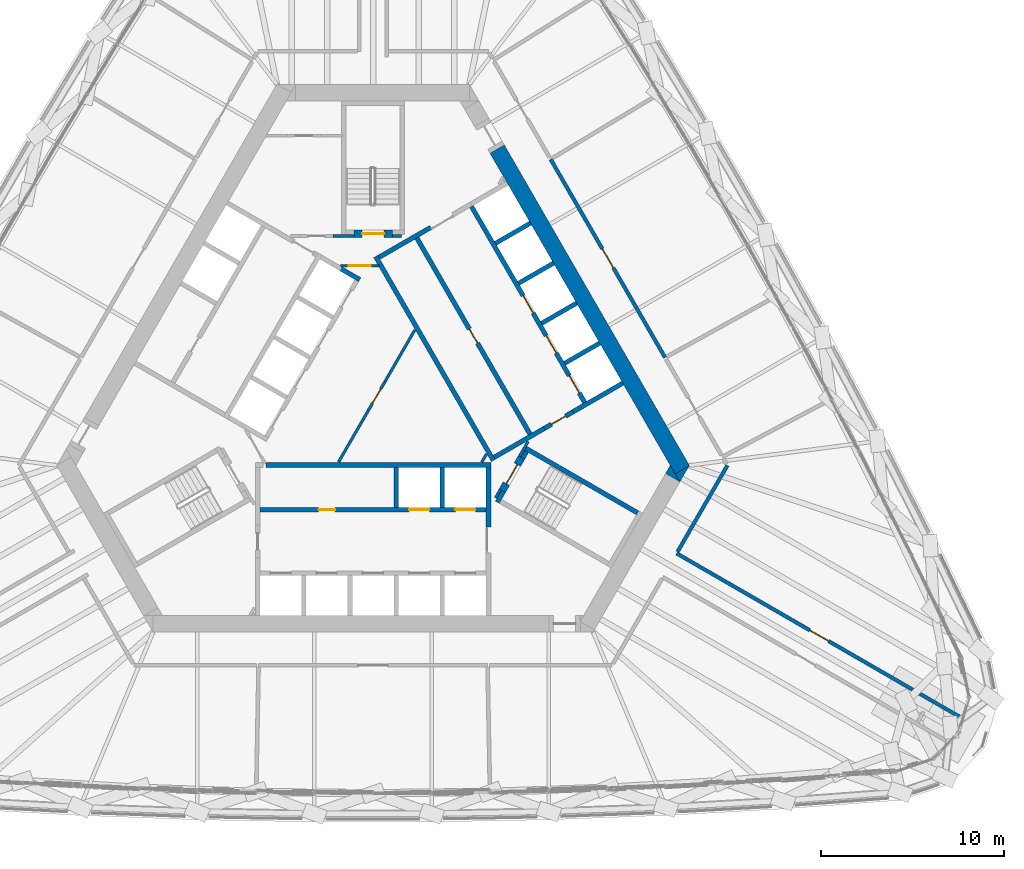
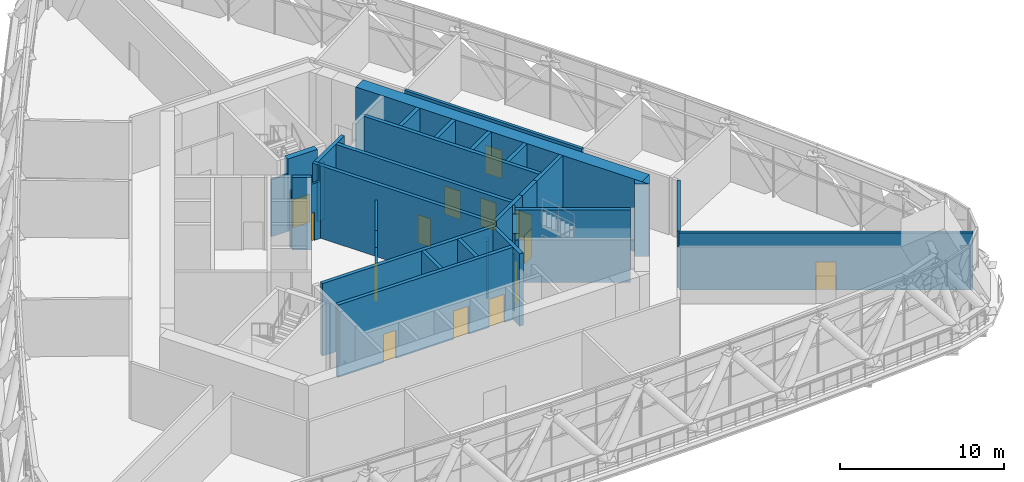
# One storey, part 28 of 43: 37 walls, 14 doors, 14 openings.
"""IFC4 building model written with IfcOpenShell, lengths in metres."""

from ifc_helpers import new_model, si_unit, direction, frame, frame_2d, origin, place, context, subcontext, project, spatial, polyline, rectangle, outline, extrude, material, layer, layer_set, type_object, element, fill, save


model = new_model("IFC4")

# Units and contexts
model_context = context("Model", 3, precision=1e-05, world=origin(), true_north=direction((0.0, 1.0)))
body_context = subcontext(model_context, "Body", "Model", "MODEL_VIEW")
ifc_project = project(units=[si_unit("LENGTHUNIT", "METRE"), si_unit("AREAUNIT", "SQUARE_METRE"), si_unit("VOLUMEUNIT", "CUBIC_METRE"), si_unit("PLANEANGLEUNIT", "RADIAN"), si_unit("MASSUNIT", "GRAM", prefix="KILO")], contexts=[model_context])

# Site, building, storey
site_placement = place(None, origin())
site = spatial("IfcSite", under=ifc_project, at=site_placement, CompositionType="ELEMENT")
building_placement = place(site_placement, origin())
building = spatial("IfcBuilding", under=site, at=building_placement, Name="Mestral Congress Tower", CompositionType="ELEMENT")
storey_placement = place(building_placement, frame((0.0, 0.0, 78.300048828125)))
storey = spatial("IfcBuildingStorey", under=building, at=storey_placement, Name="L18", CompositionType="ELEMENT", Elevation=78.300048828125)

# Walls
ifc_material_1 = material(Name="Fire-rated board partition")
ifc_layer_1 = layer(ifc_material_1, 0.14990234375)
ifc_layer_set_1 = layer_set([ifc_layer_1], Name="Fire-rated board partition")
wall_type_1 = type_object("IfcWallType", Name="Core partition 150", PredefinedType="PARTITIONING", material=ifc_layer_set_1)
wall_1_placement = place(storey_placement, frame((6.94482421875, -5.22216796875, 0.0), z_axis=(0.0, 0.0, 1.0), x_axis=(-0.499818422106, -0.866130212453, 0.0)))
element("IfcWall", 1, at=wall_1_placement, inside=storey, type_object=wall_type_1, Name="L18 core wall", PredefinedType="PARTITIONING", context=body_context, shape_type="SweptSolid", body=[
    extrude(rectangle(XDim=0.513916015625, YDim=0.14990234375, at=frame_2d((0.2568359375, 0.0))), origin(), (0.0, 0.0, 1.0), 4.25),
])
wall_2_placement = place(storey_placement, frame((5.935791015625, -3.718017578125, 0.0), z_axis=(0.0, 0.0, 1.0), x_axis=(0.499890179513, 0.866088799389, 0.0)))
element("IfcWall", 2, at=wall_2_placement, inside=storey, type_object=wall_type_1, Name="L18 core wall", PredefinedType="PARTITIONING", context=body_context, shape_type="SweptSolid", body=[
    extrude(rectangle(XDim=0.50390625, YDim=0.14990234375, at=frame_2d((0.251953125, 0.0))), origin(), (0.0, 0.0, 1.0), 4.25),
])
for number, where, z_axis, x_axis, name in (
    (3, (-1.886962890625, -3.71826171875, 0.0), (0.0, 0.0, 1.0), (0.500033287521, 0.866006184372, 0.0), "L18 core wall"),
    (4, (0.64501953125, 0.6669921875, 0.0), (0.0, 0.0, 1.0), (0.499977178999, 0.866038579095, 0.0), "L18 core wall"),
):
    element("IfcWall", number, at=place(storey_placement, frame(where, z_axis=z_axis, x_axis=x_axis)), inside=storey, type_object=wall_type_1, Name=name, PredefinedType="PARTITIONING", context=body_context, shape_type="SweptSolid", body=[
        extrude(rectangle(XDim=3.263427734375, YDim=0.14990234375, at=frame_2d((1.6318359375, 0.0))), origin(), (0.0, 0.0, 1.0), 4.25),
    ])
wall_3_placement = place(storey_placement, frame((-2.1962890625, 8.62548828125, 0.0), z_axis=(0.0, 0.0, 1.0), x_axis=(1.0, 0.0, 0.0)))
element("IfcWall", 5, at=wall_3_placement, inside=storey, type_object=wall_type_1, Name="L18 core wall", PredefinedType="PARTITIONING", context=body_context, shape_type="SweptSolid", body=[
    extrude(rectangle(XDim=1.146240234375, YDim=0.14990234375, at=frame_2d((0.5732421875, 0.0))), origin(), (0.0, 0.0, 1.0), 4.25),
])
wall_4_placement = place(storey_placement, frame((1.050048828125, 8.62548828125, 0.0), z_axis=(0.0, 0.0, 1.0), x_axis=(1.0, 0.0, 0.0)))
element("IfcWall", 6, at=wall_4_placement, inside=storey, type_object=wall_type_1, Name="L18 core wall", PredefinedType="PARTITIONING", context=body_context, shape_type="SweptSolid", body=[
    extrude(rectangle(XDim=0.513916015625, YDim=0.14990234375, at=frame_2d((0.2568359375, 0.0))), origin(), (0.0, 0.0, 1.0), 4.25),
])

# Wall, opening, door
wall_5_placement = place(storey_placement, frame((-1.765380859375, 7.0, 0.0), z_axis=(0.0, 0.0, 1.0), x_axis=(1.0, 0.0, 0.0)))
wall_5 = element("IfcWall", 7, at=wall_5_placement, inside=storey, type_object=wall_type_1, Name="L18 door wall", PredefinedType="PARTITIONING", context=body_context, shape_type="SweptSolid", body=[
    extrude(rectangle(XDim=2.10009765625, YDim=0.14990234375, at=frame_2d((1.050048828125, 0.0))), origin(), (0.0, 0.0, 1.0), 4.25),
])
opening_1_placement = place(wall_5_placement, frame((0.449951171875, 0.0, 0.0)))
opening_1 = element("IfcOpeningElement", 8, at=opening_1_placement, cuts=wall_5, Name="Opening CD2-FF", PredefinedType="OPENING", context=body_context, shape_type="SweptSolid", body=[
    extrude(rectangle(XDim=1.199951171875, YDim=2.10009765625, at=frame_2d((0.60009765625, 1.050048828125))), frame((0.0, 0.0849609375, 0.0), z_axis=(0.0, -1.0, 0.0), x_axis=(1.0, 0.0, 0.0)), (0.0, 0.0, 1.0), 0.169921875),
])
ifc_material_2 = material(Name="Fire-rated steel door set", Category="steel")
door_type_1 = type_object("IfcDoorType", Name="Core door CD 1200x2100", OperationType="SINGLE_SWING_LEFT", PredefinedType="DOOR", material=ifc_material_2)
door_1_placement = place(opening_1_placement, origin())
door_1 = element("IfcDoor", 9, at=door_1_placement, inside=storey, type_object=door_type_1, Name="Door CD2-FF", OperationType="SINGLE_SWING_LEFT", OverallHeight=2.10009765625, OverallWidth=1.199951171875, PredefinedType="DOOR", context=body_context, shape_type="SweptSolid", body=[
    extrude(rectangle(XDim=1.199951171875, YDim=2.10009765625, at=frame_2d((0.60009765625, 1.050048828125))), frame((0.0, 0.02490234375, 0.0), z_axis=(0.0, -1.0, 0.0), x_axis=(1.0, 0.0, 0.0)), (0.0, 0.0, 1.0), 0.050048828125),
])
fill(opening_1, door_1)

wall_6_placement = place(storey_placement, frame((-0.255126953125, -0.891845703125, 0.0), z_axis=(0.0, 0.0, 1.0), x_axis=(0.500062916607, 0.865989075817, 0.0)))
wall_6 = element("IfcWall", 10, at=wall_6_placement, inside=storey, type_object=wall_type_1, Name="L18 door wall", PredefinedType="PARTITIONING", context=body_context, shape_type="SweptSolid", body=[
    extrude(rectangle(XDim=1.800048828125, YDim=0.14990234375, at=frame_2d((0.89990234375, 0.0))), origin(), (0.0, 0.0, 1.0), 4.25),
])
opening_2_placement = place(wall_6_placement, frame((0.449951171875, 0.0, 0.0)))
opening_2 = element("IfcOpeningElement", 11, at=opening_2_placement, cuts=wall_6, Name="Opening SD-HUB0", PredefinedType="OPENING", context=body_context, shape_type="SweptSolid", body=[
    extrude(rectangle(XDim=0.89990234375, YDim=2.10009765625, at=frame_2d((0.449951171875, 1.050048828125))), frame((0.0, 0.0849609375, 0.0), z_axis=(0.0, -1.0, 0.0), x_axis=(1.0, 0.0, 0.0)), (0.0, 0.0, 1.0), 0.169921875),
])
door_type_2 = type_object("IfcDoorType", Name="Core door SR 900x2100", OperationType="SINGLE_SWING_LEFT", PredefinedType="DOOR", material=ifc_material_2)
door_2_placement = place(opening_2_placement, origin())
door_2 = element("IfcDoor", 12, at=door_2_placement, inside=storey, type_object=door_type_2, Name="Door SD-HUB0", OperationType="SINGLE_SWING_LEFT", OverallHeight=2.10009765625, OverallWidth=0.89990234375, PredefinedType="DOOR", context=body_context, shape_type="SweptSolid", body=[
    extrude(rectangle(XDim=0.89990234375, YDim=2.10009765625, at=frame_2d((0.449951171875, 1.050048828125))), frame((0.0, 0.02490234375, 0.0), z_axis=(0.0, -1.0, 0.0), x_axis=(1.0, 0.0, 0.0)), (0.0, 0.0, 1.0), 0.050048828125),
])
fill(opening_2, door_2)

# Walls
ifc_material_3 = material(Name="Concrete C60/75", Category="concrete")
ifc_layer_2 = layer(ifc_material_3, 0.89990234375)
ifc_layer_set_2 = layer_set([ifc_layer_2], Name="Concrete C60/75")
wall_type_2 = type_object("IfcWallType", Name="Core wall RC 900", PredefinedType="SOLIDWALL", material=ifc_layer_set_2)
wall_7_placement = place(storey_placement, frame((6.77587890625, 13.36376953125, 0.0), z_axis=(0.0, 0.0, 1.0), x_axis=(0.500004177138, -0.8660229921, 0.0)))
element("IfcWall", 13, at=wall_7_placement, inside=storey, type_object=wall_type_2, Name="L18 core wall", PredefinedType="SOLIDWALL", context=body_context, shape_type="SweptSolid", body=[
    extrude(rectangle(XDim=20.203857421875, YDim=0.89990234375, at=frame_2d((10.10205078125, 0.0))), origin(), (0.0, 0.0, 1.0), 5.39990234375),
])
placement = place(storey_placement, origin())
element("IfcWall", 14, at=placement, inside=storey, type_object=wall_type_2, Name="L18 core wall", PredefinedType="SOLIDWALL", context=body_context, shape_type="SweptSolid", body=[
    extrude(outline(polyline([(16.7431640625, -4.800048828125), (16.4892578125, -4.360107421875), (17.251220703125, -3.920166015625), (16.7431640625, -4.800048828125)])), origin(), (0.0, 0.0, 1.0), 5.39990234375),
])
element("IfcWall", 15, at=placement, inside=storey, type_object=wall_type_2, Name="L18 core wall", PredefinedType="SOLIDWALL", context=body_context, shape_type="SweptSolid", body=[
    extrude(outline(polyline([(16.223388671875, -3.900146484375), (16.731689453125, -4.780029296875), (15.969482421875, -4.340087890625), (16.223388671875, -3.900146484375)])), origin(), (0.0, 0.0, 1.0), 5.39990234375),
])
ifc_layer_3 = layer(ifc_material_3, 0.25)
ifc_layer_set_3 = layer_set([ifc_layer_3], Name="Concrete C60/75")
wall_type_3 = type_object("IfcWallType", Name="Shaft wall RC 250", PredefinedType="SOLIDWALL", material=ifc_layer_set_3)
wall_10_placement = place(storey_placement, frame((-5.844970703125, -3.875, 0.0), z_axis=(0.0, 0.0, 1.0), x_axis=(1.0, 0.0, 0.0)))
element("IfcWall", 16, at=wall_10_placement, inside=storey, type_object=wall_type_3, Name="L18 core wall", PredefinedType="SOLIDWALL", context=body_context, shape_type="SweptSolid", body=[
    extrude(rectangle(XDim=12.27001953125, YDim=0.25, at=frame_2d((6.135009765625, 0.0))), origin(), (0.0, 0.0, 1.0), 5.39990234375),
])
wall_11_placement = place(storey_placement, frame((6.300048828125, -7.26806640625, 0.0), z_axis=(0.0, 0.0, 1.0), x_axis=(0.0, 1.0, 0.0)))
element("IfcWall", 17, at=wall_11_placement, inside=storey, type_object=wall_type_3, Name="L18 core wall", PredefinedType="SOLIDWALL", context=body_context, shape_type="SweptSolid", body=[
    extrude(rectangle(XDim=3.26806640625, YDim=0.25, at=frame_2d((1.634033203125, 0.0))), origin(), (0.0, 0.0, 1.0), 5.39990234375),
])
for number, where, z_axis, x_axis, name in (
    (18, (3.780029296875, -4.0, 0.0), (0.0, 0.0, 1.0), (0.0, -1.0, 0.0), "L18 core wall"),
    (19, (1.260009765625, -4.0, 0.0), (0.0, 0.0, 1.0), (0.0, -1.0, 0.0), "L18 core wall"),
    (20, (10.463623046875, 1.676513671875, 0.0), (0.0, 0.0, 1.0), (0.86605622881, 0.499946605688, 0.0), "L18 core wall"),
):
    element("IfcWall", number, at=place(storey_placement, frame(where, z_axis=z_axis, x_axis=x_axis)), inside=storey, type_object=wall_type_3, Name=name, PredefinedType="SOLIDWALL", context=body_context, shape_type="SweptSolid", body=[
        extrude(rectangle(XDim=2.199951171875, YDim=0.25, at=frame_2d((1.10009765625, 0.0))), origin(), (0.0, 0.0, 1.0), 5.39990234375),
    ])
wall_12_placement = place(storey_placement, frame((13.62890625, 0.593994140625, 0.0), z_axis=(0.0, 0.0, 1.0), x_axis=(-0.86602790099, -0.499995674689, 0.0)))
element("IfcWall", 21, at=wall_12_placement, inside=storey, type_object=wall_type_3, Name="L18 core wall", PredefinedType="SOLIDWALL", context=body_context, shape_type="SweptSolid", body=[
    extrude(rectangle(XDim=3.1455078125, YDim=0.25, at=frame_2d((1.57275390625, 0.0))), origin(), (0.0, 0.0, 1.0), 5.39990234375),
])
element("IfcWall", 22, at=placement, inside=storey, type_object=wall_type_3, Name="L18 core wall", PredefinedType="SOLIDWALL", context=body_context, shape_type="SweptSolid", body=[
    extrude(outline(polyline([(0.334716796875, 6.925048828125), (0.334716796875, 7.074951171875), (0.334716796875, 7.074951171875), (0.334716796875, 7.0751953125), (0.245361328125, 7.0751953125), (0.079345703125, 7.362548828125), (0.03515625, 7.439208984375), (0.251708984375, 7.564208984375), (0.376708984375, 7.34765625), (6.551513671875, -3.34765625), (6.676513671875, -3.564208984375), (6.460205078125, -3.689208984375), (4.896728515625, -0.981201171875), (0.33203125, 6.9248046875), (0.334716796875, 6.9248046875), (0.334716796875, 6.925048828125), (0.334716796875, 6.925048828125)])), origin(), (0.0, 0.0, 1.0), 5.39990234375),
])
wall_14_placement = place(storey_placement, frame((0.314208984375, 7.455810546875, 0.0), z_axis=(0.0, 0.0, 1.0), x_axis=(0.866013897511, 0.50001992892, 0.0)))
element("IfcWall", 23, at=wall_14_placement, inside=storey, type_object=wall_type_3, Name="L18 core wall", PredefinedType="SOLIDWALL", context=body_context, shape_type="SweptSolid", body=[
    extrude(rectangle(XDim=3.267822265625, YDim=0.25, at=frame_2d((1.6337890625, 0.0))), origin(), (0.0, 0.0, 1.0), 5.39990234375),
])
wall_15_placement = place(storey_placement, frame((6.614013671875, -3.4560546875, 0.0), z_axis=(0.0, 0.0, 1.0), x_axis=(0.86602447079, 0.500001615989, 0.0)))
element("IfcWall", 24, at=wall_15_placement, inside=storey, type_object=wall_type_3, Name="L18 core wall", PredefinedType="SOLIDWALL", context=body_context, shape_type="SweptSolid", body=[
    extrude(rectangle(XDim=3.154296875, YDim=0.25, at=frame_2d((1.5771484375, 0.0))), origin(), (0.0, 0.0, 1.0), 5.39990234375),
])
for number, where, z_axis, x_axis, name in (
    (25, (6.68359375, 8.2236328125, 0.0), (0.0, 0.0, 1.0), (0.86605622881, 0.499946605688, 0.0), "L18 core wall"),
    (26, (7.943603515625, 6.041259765625, 0.0), (0.0, 0.0, 1.0), (0.86605622881, 0.499946605688, 0.0), "L18 core wall"),
    (27, (9.20361328125, 3.85888671875, 0.0), (0.0, 0.0, 1.0), (0.86605622881, 0.499946605688, 0.0), "L18 core wall"),
):
    element("IfcWall", number, at=place(storey_placement, frame(where, z_axis=z_axis, x_axis=x_axis)), inside=storey, type_object=wall_type_3, Name=name, PredefinedType="SOLIDWALL", context=body_context, shape_type="SweptSolid", body=[
        extrude(rectangle(XDim=2.199951171875, YDim=0.25, at=frame_2d((1.10009765625, 0.0))), origin(), (0.0, 0.0, 1.0), 5.39990234375),
    ])
wall_16_placement = place(storey_placement, frame((-0.7275390625, 6.23974609375, 0.0), z_axis=(0.0, 0.0, 1.0), x_axis=(-0.866002680491, 0.500039355833, 0.0)))
element("IfcWall", 28, at=wall_16_placement, inside=storey, type_object=wall_type_3, Name="L18 core wall", PredefinedType="SOLIDWALL", context=body_context, shape_type="SweptSolid", body=[
    extrude(rectangle(XDim=1.17822265625, YDim=0.25, at=frame_2d((0.589111328125, 0.0))), origin(), (0.0, 0.0, 1.0), 5.39990234375),
])

# Wall, openings, doors
wall_17_placement = place(storey_placement, frame((-6.175048828125, -6.324951171875, 0.0), z_axis=(0.0, 0.0, 1.0), x_axis=(1.0, 0.0, 0.0)))
wall_17 = element("IfcWall", 29, at=wall_17_placement, inside=storey, type_object=wall_type_3, Name="L18 door wall", PredefinedType="SOLIDWALL", context=body_context, shape_type="SweptSolid", body=[
    extrude(rectangle(XDim=12.35009765625, YDim=0.25, at=frame_2d((6.175048828125, 0.0))), origin(), (0.0, 0.0, 1.0), 5.39990234375),
])
opening_3_placement = place(wall_17_placement, frame((3.205078125, 0.0, 0.0)))
opening_3 = element("IfcOpeningElement", 30, at=opening_3_placement, cuts=wall_17, Name="Opening SR-SOB1", PredefinedType="OPENING", context=body_context, shape_type="SweptSolid", body=[
    extrude(rectangle(XDim=0.89990234375, YDim=2.10009765625, at=frame_2d((0.449951171875, 1.050048828125))), frame((0.0, 0.135009765625, 0.0), z_axis=(0.0, -1.0, 0.0), x_axis=(1.0, 0.0, 0.0)), (0.0, 0.0, 1.0), 0.27001953125),
])
opening_4_placement = place(wall_17_placement, frame((8.14501953125, 0.0, 0.0)))
opening_4 = element("IfcOpeningElement", 31, at=opening_4_placement, cuts=wall_17, Name="Opening LD-SOB4", PredefinedType="OPENING", context=body_context, shape_type="SweptSolid", body=[
    extrude(rectangle(XDim=1.10009765625, YDim=2.10009765625, at=frame_2d((0.550048828125, 1.050048828125))), frame((0.0, 0.135009765625, 0.0), z_axis=(0.0, -1.0, 0.0), x_axis=(1.0, 0.0, 0.0)), (0.0, 0.0, 1.0), 0.27001953125),
])
opening_5_placement = place(wall_17_placement, frame((10.6650390625, 0.0, 0.0)))
opening_5 = element("IfcOpeningElement", 32, at=opening_5_placement, cuts=wall_17, Name="Opening LD-SOB5", PredefinedType="OPENING", context=body_context, shape_type="SweptSolid", body=[
    extrude(rectangle(XDim=1.10009765625, YDim=2.10009765625, at=frame_2d((0.550048828125, 1.050048828125))), frame((0.0, 0.135009765625, 0.0), z_axis=(0.0, -1.0, 0.0), x_axis=(1.0, 0.0, 0.0)), (0.0, 0.0, 1.0), 0.27001953125),
])
door_type_3 = type_object("IfcDoorType", Name="Core door LD 1100x2100", OperationType="DOUBLE_DOOR_SLIDING", PredefinedType="DOOR", material=ifc_material_2)
door_3_placement = place(opening_4_placement, origin())
door_3 = element("IfcDoor", 33, at=door_3_placement, inside=storey, type_object=door_type_3, Name="Door LD-SOB4", OperationType="DOUBLE_DOOR_SLIDING", OverallHeight=2.10009765625, OverallWidth=1.10009765625, PredefinedType="DOOR", context=body_context, shape_type="SweptSolid", body=[
    extrude(rectangle(XDim=1.10009765625, YDim=2.10009765625, at=frame_2d((0.550048828125, 1.050048828125))), frame((0.0, 0.02490234375, 0.0), z_axis=(0.0, -1.0, 0.0), x_axis=(1.0, 0.0, 0.0)), (0.0, 0.0, 1.0), 0.050048828125),
])
fill(opening_4, door_3)
door_4_placement = place(opening_5_placement, origin())
door_4 = element("IfcDoor", 34, at=door_4_placement, inside=storey, type_object=door_type_3, Name="Door LD-SOB5", OperationType="DOUBLE_DOOR_SLIDING", OverallHeight=2.10009765625, OverallWidth=1.10009765625, PredefinedType="DOOR", context=body_context, shape_type="SweptSolid", body=[
    extrude(rectangle(XDim=1.10009765625, YDim=2.10009765625, at=frame_2d((0.550048828125, 1.050048828125))), frame((0.0, 0.02490234375, 0.0), z_axis=(0.0, -1.0, 0.0), x_axis=(1.0, 0.0, 0.0)), (0.0, 0.0, 1.0), 0.050048828125),
])
fill(opening_5, door_4)
door_5_placement = place(opening_3_placement, origin())
door_5 = element("IfcDoor", 35, at=door_5_placement, inside=storey, type_object=door_type_2, Name="Door SR-SOB1", OperationType="SINGLE_SWING_LEFT", OverallHeight=2.10009765625, OverallWidth=0.89990234375, PredefinedType="DOOR", context=body_context, shape_type="SweptSolid", body=[
    extrude(rectangle(XDim=0.89990234375, YDim=2.10009765625, at=frame_2d((0.449951171875, 1.050048828125))), frame((0.0, 0.02490234375, 0.0), z_axis=(0.0, -1.0, 0.0), x_axis=(1.0, 0.0, 0.0)), (0.0, 0.0, 1.0), 0.050048828125),
])
fill(opening_3, door_5)

wall_18_placement = place(storey_placement, frame((11.552978515625, -0.460205078125, 0.0), z_axis=(0.0, 0.0, 1.0), x_axis=(-0.500006514828, 0.866021642414, 0.0)))
wall_18 = element("IfcWall", 36, at=wall_18_placement, inside=storey, type_object=wall_type_3, Name="L18 door wall", PredefinedType="SOLIDWALL", context=body_context, shape_type="SweptSolid", body=[
    extrude(rectangle(XDim=12.349853515625, YDim=0.25, at=frame_2d((6.1748046875, 0.0))), origin(), (0.0, 0.0, 1.0), 5.39990234375),
])
opening_6_placement = place(wall_18_placement, frame((0.5849609375, 0.0, 0.0)))
opening_6 = element("IfcOpeningElement", 37, at=opening_6_placement, cuts=wall_18, Name="Opening LD-NEA1", PredefinedType="OPENING", context=body_context, shape_type="SweptSolid", body=[
    extrude(rectangle(XDim=1.10009765625, YDim=2.10009765625, at=frame_2d((0.550048828125, 1.050048828125))), frame((0.0, 0.135009765625, 0.0), z_axis=(0.0, -1.0, 0.0), x_axis=(1.0, 0.0, 0.0)), (0.0, 0.0, 1.0), 0.27001953125),
])
opening_7_placement = place(wall_18_placement, frame((3.10498046875, 0.0, 0.0)))
opening_7 = element("IfcOpeningElement", 38, at=opening_7_placement, cuts=wall_18, Name="Opening LD-NEA2", PredefinedType="OPENING", context=body_context, shape_type="SweptSolid", body=[
    extrude(rectangle(XDim=1.10009765625, YDim=2.10009765625, at=frame_2d((0.550048828125, 1.050048828125))), frame((0.0, 0.135009765625, 0.0), z_axis=(0.0, -1.0, 0.0), x_axis=(1.0, 0.0, 0.0)), (0.0, 0.0, 1.0), 0.27001953125),
])
opening_8_placement = place(wall_18_placement, frame((5.625, 0.0, 0.0)))
opening_8 = element("IfcOpeningElement", 39, at=opening_8_placement, cuts=wall_18, Name="Opening LD-NEA3", PredefinedType="OPENING", context=body_context, shape_type="SweptSolid", body=[
    extrude(rectangle(XDim=1.10009765625, YDim=2.10009765625, at=frame_2d((0.550048828125, 1.050048828125))), frame((0.0, 0.135009765625, 0.0), z_axis=(0.0, -1.0, 0.0), x_axis=(1.0, 0.0, 0.0)), (0.0, 0.0, 1.0), 0.27001953125),
])
door_6_placement = place(opening_6_placement, origin())
door_6 = element("IfcDoor", 40, at=door_6_placement, inside=storey, type_object=door_type_3, Name="Door LD-NEA1", OperationType="DOUBLE_DOOR_SLIDING", OverallHeight=2.10009765625, OverallWidth=1.10009765625, PredefinedType="DOOR", context=body_context, shape_type="SweptSolid", body=[
    extrude(rectangle(XDim=1.10009765625, YDim=2.10009765625, at=frame_2d((0.550048828125, 1.050048828125))), frame((0.0, 0.02490234375, 0.0), z_axis=(0.0, -1.0, 0.0), x_axis=(1.0, 0.0, 0.0)), (0.0, 0.0, 1.0), 0.050048828125),
])
fill(opening_6, door_6)
door_7_placement = place(opening_7_placement, origin())
door_7 = element("IfcDoor", 41, at=door_7_placement, inside=storey, type_object=door_type_3, Name="Door LD-NEA2", OperationType="DOUBLE_DOOR_SLIDING", OverallHeight=2.10009765625, OverallWidth=1.10009765625, PredefinedType="DOOR", context=body_context, shape_type="SweptSolid", body=[
    extrude(rectangle(XDim=1.10009765625, YDim=2.10009765625, at=frame_2d((0.550048828125, 1.050048828125))), frame((0.0, 0.02490234375, 0.0), z_axis=(0.0, -1.0, 0.0), x_axis=(1.0, 0.0, 0.0)), (0.0, 0.0, 1.0), 0.050048828125),
])
fill(opening_7, door_7)
door_8_placement = place(opening_8_placement, origin())
door_8 = element("IfcDoor", 42, at=door_8_placement, inside=storey, type_object=door_type_3, Name="Door LD-NEA3", OperationType="DOUBLE_DOOR_SLIDING", OverallHeight=2.10009765625, OverallWidth=1.10009765625, PredefinedType="DOOR", context=body_context, shape_type="SweptSolid", body=[
    extrude(rectangle(XDim=1.10009765625, YDim=2.10009765625, at=frame_2d((0.550048828125, 1.050048828125))), frame((0.0, 0.02490234375, 0.0), z_axis=(0.0, -1.0, 0.0), x_axis=(1.0, 0.0, 0.0)), (0.0, 0.0, 1.0), 0.050048828125),
])
fill(opening_8, door_8)

# Wall, opening, door
wall_19_placement = place(storey_placement, frame((8.565185546875, -2.185302734375, 0.0), z_axis=(0.0, 0.0, 1.0), x_axis=(-0.499997954832, 0.866026584559, 0.0)))
wall_19 = element("IfcWall", 43, at=wall_19_placement, inside=storey, type_object=wall_type_3, Name="L18 door wall", PredefinedType="SOLIDWALL", context=body_context, shape_type="SweptSolid", body=[
    extrude(rectangle(XDim=12.35009765625, YDim=0.25, at=frame_2d((6.175048828125, 0.0))), origin(), (0.0, 0.0, 1.0), 5.39990234375),
])
opening_9_placement = place(wall_19_placement, frame((5.72509765625, 0.0, 0.0)))
opening_9 = element("IfcOpeningElement", 44, at=opening_9_placement, cuts=wall_19, Name="Opening SR-NEB1", PredefinedType="OPENING", context=body_context, shape_type="SweptSolid", body=[
    extrude(rectangle(XDim=0.89990234375, YDim=2.10009765625, at=frame_2d((0.449951171875, 1.050048828125))), frame((0.0, 0.135009765625, 0.0), z_axis=(0.0, -1.0, 0.0), x_axis=(1.0, 0.0, 0.0)), (0.0, 0.0, 1.0), 0.27001953125),
])
door_9_placement = place(opening_9_placement, origin())
door_9 = element("IfcDoor", 45, at=door_9_placement, inside=storey, type_object=door_type_2, Name="Door SR-NEB1", OperationType="SINGLE_SWING_LEFT", OverallHeight=2.10009765625, OverallWidth=0.89990234375, PredefinedType="DOOR", context=body_context, shape_type="SweptSolid", body=[
    extrude(rectangle(XDim=0.89990234375, YDim=2.10009765625, at=frame_2d((0.449951171875, 1.050048828125))), frame((0.0, 0.02490234375, 0.0), z_axis=(0.0, -1.0, 0.0), x_axis=(1.0, 0.0, 0.0)), (0.0, 0.0, 1.0), 0.050048828125),
])
fill(opening_9, door_9)

wall_20_placement = place(storey_placement, frame((9.345947265625, -1.878662109375, 0.0), z_axis=(0.0, 0.0, 1.0), x_axis=(0.866047807691, 0.499961193289, 0.0)))
wall_20 = element("IfcWall", 46, at=wall_20_placement, inside=storey, type_object=wall_type_3, Name="L18 door wall", PredefinedType="SOLIDWALL", context=body_context, shape_type="SweptSolid", body=[
    extrude(rectangle(XDim=1.800048828125, YDim=0.25, at=frame_2d((0.89990234375, 0.0))), origin(), (0.0, 0.0, 1.0), 5.39990234375),
])
opening_10_placement = place(wall_20_placement, frame((0.449951171875, 0.0, 0.0)))
opening_10 = element("IfcOpeningElement", 47, at=opening_10_placement, cuts=wall_20, Name="Opening TD1", PredefinedType="OPENING", context=body_context, shape_type="SweptSolid", body=[
    extrude(rectangle(XDim=0.89990234375, YDim=2.10009765625, at=frame_2d((0.449951171875, 1.050048828125))), frame((0.0, 0.135009765625, 0.0), z_axis=(0.0, -1.0, 0.0), x_axis=(1.0, 0.0, 0.0)), (0.0, 0.0, 1.0), 0.27001953125),
])
door_10_placement = place(opening_10_placement, origin())
door_10 = element("IfcDoor", 48, at=door_10_placement, inside=storey, type_object=door_type_2, Name="Door TD1", OperationType="SINGLE_SWING_LEFT", OverallHeight=2.10009765625, OverallWidth=0.89990234375, PredefinedType="DOOR", context=body_context, shape_type="SweptSolid", body=[
    extrude(rectangle(XDim=0.89990234375, YDim=2.10009765625, at=frame_2d((0.449951171875, 1.050048828125))), frame((0.0, 0.02490234375, 0.0), z_axis=(0.0, -1.0, 0.0), x_axis=(1.0, 0.0, 0.0)), (0.0, 0.0, 1.0), 0.050048828125),
])
fill(opening_10, door_10)

# Wall
ifc_layer_4 = layer(ifc_material_3, 0.14990234375)
ifc_layer_set_4 = layer_set([ifc_layer_4], Name="Concrete C60/75")
wall_type_4 = type_object("IfcWallType", Name="Shaft wall RC 250 door-wall 150", PredefinedType="SOLIDWALL", material=ifc_layer_set_4)
wall_21_placement = place(storey_placement, frame((8.459228515625, -2.59912109375, 0.0), z_axis=(0.0, 0.0, 1.0), x_axis=(-0.500041054325, -0.866001699761, 0.0)))
element("IfcWall", 49, at=wall_21_placement, inside=storey, type_object=wall_type_4, Name="L18 core wall", PredefinedType="PARTITIONING", context=body_context, shape_type="SweptSolid", body=[
    extrude(rectangle(XDim=0.9287109375, YDim=0.14990234375, at=frame_2d((0.46435546875, 0.0))), origin(), (0.0, 0.0, 1.0), 5.39990234375),
])

# Wall, opening, door
ifc_material_4 = material(Name="Concrete block wall, plastered", Category="concrete")
ifc_layer_5 = layer(ifc_material_4, 0.199951171875)
ifc_layer_set_5 = layer_set([ifc_layer_5], Name="Concrete block wall, plastered")
wall_type_5 = type_object("IfcWallType", Name="Special partition 200 EI 120", PredefinedType="PARTITIONING", material=ifc_layer_set_5)
wall_22_placement = place(storey_placement, frame((32.14111328125, -17.690673828125, 0.0), z_axis=(0.0, 0.0, 1.0), x_axis=(-0.866025271609, 0.500000228935, 0.0)))
wall_22 = element("IfcWall", 50, at=wall_22_placement, inside=storey, type_object=wall_type_5, Name="Partition", PredefinedType="PARTITIONING", context=body_context, shape_type="SweptSolid", body=[
    extrude(rectangle(XDim=17.98046875, YDim=0.199951171875, at=frame_2d((8.990234375, 0.0))), origin(), (0.0, 0.0, 1.0), 4.25),
])
opening_11_placement = place(wall_22_placement, frame((8.39013671875, 0.0, 0.0)))
opening_11 = element("IfcOpeningElement", 51, at=opening_11_placement, cuts=wall_22, Name="Opening S18-005", PredefinedType="OPENING", context=body_context, shape_type="SweptSolid", body=[
    extrude(rectangle(XDim=1.199951171875, YDim=2.10009765625, at=frame_2d((0.60009765625, 1.050048828125))), frame((0.0, 0.10986328125, 0.0), z_axis=(0.0, -1.0, 0.0), x_axis=(1.0, 0.0, 0.0)), (0.0, 0.0, 1.0), 0.219970703125),
])
door_type_4 = type_object("IfcDoorType", Name="Plant room door 1200x2100", OperationType="SINGLE_SWING_LEFT", PredefinedType="DOOR", material=ifc_material_2)
door_11_placement = place(opening_11_placement, origin())
door_11 = element("IfcDoor", 52, at=door_11_placement, inside=storey, type_object=door_type_4, Name="Door S18-005", OperationType="SINGLE_SWING_RIGHT", OverallHeight=2.10009765625, OverallWidth=1.199951171875, PredefinedType="DOOR", context=body_context, shape_type="SweptSolid", body=[
    extrude(rectangle(XDim=1.199951171875, YDim=2.10009765625, at=frame_2d((0.60009765625, 1.050048828125))), frame((0.0, 0.02490234375, 0.0), z_axis=(0.0, -1.0, 0.0), x_axis=(1.0, 0.0, 0.0)), (0.0, 0.0, 1.0), 0.050048828125),
])
fill(opening_11, door_11)

wall_23_placement = place(storey_placement, frame((15.9423828125, 1.98681640625, 0.0), z_axis=(0.0, 0.0, 1.0), x_axis=(-0.499991245628, 0.866030458065, 0.0)))
wall_23 = element("IfcWall", 53, at=wall_23_placement, inside=storey, type_object=wall_type_5, Name="Partition", PredefinedType="PARTITIONING", context=body_context, shape_type="SweptSolid", body=[
    extrude(rectangle(XDim=12.501220703125, YDim=0.199951171875, at=frame_2d((6.25048828125, 0.0))), origin(), (0.0, 0.0, 1.0), 4.25),
])
opening_12_placement = place(wall_23_placement, frame((5.650634765625, 0.0, 0.0)))
opening_12 = element("IfcOpeningElement", 54, at=opening_12_placement, cuts=wall_23, Name="Opening S18-007", PredefinedType="OPENING", context=body_context, shape_type="SweptSolid", body=[
    extrude(rectangle(XDim=1.199951171875, YDim=2.10009765625, at=frame_2d((0.60009765625, 1.050048828125))), frame((0.0, 0.10986328125, 0.0), z_axis=(0.0, -1.0, 0.0), x_axis=(1.0, 0.0, 0.0)), (0.0, 0.0, 1.0), 0.219970703125),
])
door_12_placement = place(opening_12_placement, origin())
door_12 = element("IfcDoor", 55, at=door_12_placement, inside=storey, type_object=door_type_4, Name="Door S18-007", OperationType="SINGLE_SWING_RIGHT", OverallHeight=2.10009765625, OverallWidth=1.199951171875, PredefinedType="DOOR", context=body_context, shape_type="SweptSolid", body=[
    extrude(rectangle(XDim=1.199951171875, YDim=2.10009765625, at=frame_2d((0.60009765625, 1.050048828125))), frame((0.0, 0.02490234375, 0.0), z_axis=(0.0, -1.0, 0.0), x_axis=(1.0, 0.0, 0.0)), (0.0, 0.0, 1.0), 0.050048828125),
])
fill(opening_12, door_12)

# Walls
wall_24_placement = place(storey_placement, frame((19.34130859375, -3.89990234375, 0.0), z_axis=(0.0, 0.0, 1.0), x_axis=(-0.499998104561, -0.866026498114, 0.0)))
element("IfcWall", 56, at=wall_24_placement, inside=storey, type_object=wall_type_5, Name="Partition", PredefinedType="PARTITIONING", context=body_context, shape_type="SweptSolid", body=[
    extrude(rectangle(XDim=5.443359375, YDim=0.199951171875, at=frame_2d((2.7216796875, 0.0))), origin(), (0.0, 0.0, 1.0), 4.25),
])
ifc_layer_6 = layer(ifc_material_3, 0.25)
ifc_layer_set_6 = layer_set([ifc_layer_6], Name="Concrete C60/75")
wall_type_6 = type_object("IfcWallType", Name="Stair wall RC 250", PredefinedType="SOLIDWALL", material=ifc_layer_set_6)
wall_25_placement = place(storey_placement, frame((6.780029296875, -5.906494140625, 0.0), z_axis=(0.0, 0.0, 1.0), x_axis=(0.500223362819, 0.865896406789, 0.0)))
element("IfcWall", 57, at=wall_25_placement, inside=storey, type_object=wall_type_6, Name="L18 core wall", PredefinedType="SOLIDWALL", context=body_context, shape_type="SweptSolid", body=[
    extrude(rectangle(XDim=0.675048828125, YDim=0.25, at=frame_2d((0.33740234375, 0.0))), origin(), (0.0, 0.0, 1.0), 5.39990234375),
])
wall_26_placement = place(storey_placement, frame((8.33447265625, -2.96435546875, 0.0), z_axis=(0.0, 0.0, 1.0), x_axis=(0.866016039709, -0.500016218704, 0.0)))
element("IfcWall", 58, at=wall_26_placement, inside=storey, type_object=wall_type_6, Name="L18 core wall", PredefinedType="SOLIDWALL", context=body_context, shape_type="SweptSolid", body=[
    extrude(rectangle(XDim=7.050048828125, YDim=0.25, at=frame_2d((3.52490234375, 0.0))), origin(), (0.0, 0.0, 1.0), 5.39990234375),
])
wall_27_placement = place(storey_placement, frame((8.167724609375, -3.503173828125, 0.0), z_axis=(0.0, 0.0, 1.0), x_axis=(0.49972245349, 0.866185586049, 0.0)))
element("IfcWall", 59, at=wall_27_placement, inside=storey, type_object=wall_type_6, Name="L18 core wall", PredefinedType="SOLIDWALL", context=body_context, shape_type="SweptSolid", body=[
    extrude(rectangle(XDim=0.425048828125, YDim=0.25, at=frame_2d((0.21240234375, 0.0))), origin(), (0.0, 0.0, 1.0), 5.39990234375),
])

# Wall, opening, door
ifc_layer_7 = layer(ifc_material_3, 0.39990234375)
ifc_layer_set_7 = layer_set([ifc_layer_7], Name="Concrete C60/75")
wall_type_7 = type_object("IfcWallType", Name="Stair wall RC 250 door-wall 400", PredefinedType="SOLIDWALL", material=ifc_layer_set_7)
wall_28_placement = place(storey_placement, frame((7.052734375, -5.2841796875, 0.0), z_axis=(0.0, 0.0, 1.0), x_axis=(0.500078061341, 0.865980330357, 0.0)))
wall_28 = element("IfcWall", 60, at=wall_28_placement, inside=storey, type_object=wall_type_7, Name="L18 door wall", PredefinedType="SOLIDWALL", context=body_context, shape_type="SweptSolid", body=[
    extrude(rectangle(XDim=2.099853515625, YDim=0.39990234375, at=frame_2d((1.0498046875, 0.0))), origin(), (0.0, 0.0, 1.0), 5.39990234375),
])
opening_13_placement = place(wall_28_placement, frame((0.449951171875, 0.0, 0.0)))
opening_13 = element("IfcOpeningElement", 61, at=opening_13_placement, cuts=wall_28, Name="Opening ST-D1", PredefinedType="OPENING", context=body_context, shape_type="SweptSolid", body=[
    extrude(rectangle(XDim=1.199951171875, YDim=2.10009765625, at=frame_2d((0.60009765625, 1.050048828125))), frame((0.0, 0.2099609375, 0.0), z_axis=(0.0, -1.0, 0.0), x_axis=(1.0, 0.0, 0.0)), (0.0, 0.0, 1.0), 0.419921875),
])
door_type_5 = type_object("IfcDoorType", Name="Core door ST 1200x2100", OperationType="SINGLE_SWING_LEFT", PredefinedType="DOOR", material=ifc_material_2)
door_13_placement = place(opening_13_placement, origin())
door_13 = element("IfcDoor", 62, at=door_13_placement, inside=storey, type_object=door_type_5, Name="Door ST-D1", OperationType="SINGLE_SWING_LEFT", OverallHeight=2.10009765625, OverallWidth=1.199951171875, PredefinedType="DOOR", context=body_context, shape_type="SweptSolid", body=[
    extrude(rectangle(XDim=1.199951171875, YDim=2.10009765625, at=frame_2d((0.60009765625, 1.050048828125))), frame((0.0, 0.02490234375, 0.0), z_axis=(0.0, -1.0, 0.0), x_axis=(1.0, 0.0, 0.0)), (0.0, 0.0, 1.0), 0.050048828125),
])
fill(opening_13, door_13)

wall_29_placement = place(storey_placement, frame((1.050048828125, 8.75, 0.0), z_axis=(0.0, 0.0, 1.0), x_axis=(-1.0, 0.0, 0.0)))
wall_29 = element("IfcWall", 63, at=wall_29_placement, inside=storey, type_object=wall_type_7, Name="L18 door wall", PredefinedType="SOLIDWALL", context=body_context, shape_type="SweptSolid", body=[
    extrude(rectangle(XDim=2.10009765625, YDim=0.39990234375, at=frame_2d((1.050048828125, 0.0))), origin(), (0.0, 0.0, 1.0), 5.39990234375),
])
opening_14_placement = place(wall_29_placement, frame((0.449951171875, 0.0, 0.0)))
opening_14 = element("IfcOpeningElement", 64, at=opening_14_placement, cuts=wall_29, Name="Opening ST-D2", PredefinedType="OPENING", context=body_context, shape_type="SweptSolid", body=[
    extrude(rectangle(XDim=1.199951171875, YDim=2.10009765625, at=frame_2d((0.60009765625, 1.050048828125))), frame((0.0, 0.2099609375, 0.0), z_axis=(0.0, -1.0, 0.0), x_axis=(1.0, 0.0, 0.0)), (0.0, 0.0, 1.0), 0.419921875),
])
door_14_placement = place(opening_14_placement, origin())
door_14 = element("IfcDoor", 65, at=door_14_placement, inside=storey, type_object=door_type_5, Name="Door ST-D2", OperationType="SINGLE_SWING_LEFT", OverallHeight=2.10009765625, OverallWidth=1.199951171875, PredefinedType="DOOR", context=body_context, shape_type="SweptSolid", body=[
    extrude(rectangle(XDim=1.199951171875, YDim=2.10009765625, at=frame_2d((0.60009765625, 1.050048828125))), frame((0.0, 0.02490234375, 0.0), z_axis=(0.0, -1.0, 0.0), x_axis=(1.0, 0.0, 0.0)), (0.0, 0.0, 1.0), 0.050048828125),
])
fill(opening_14, door_14)

save(model, "model.ifc")
